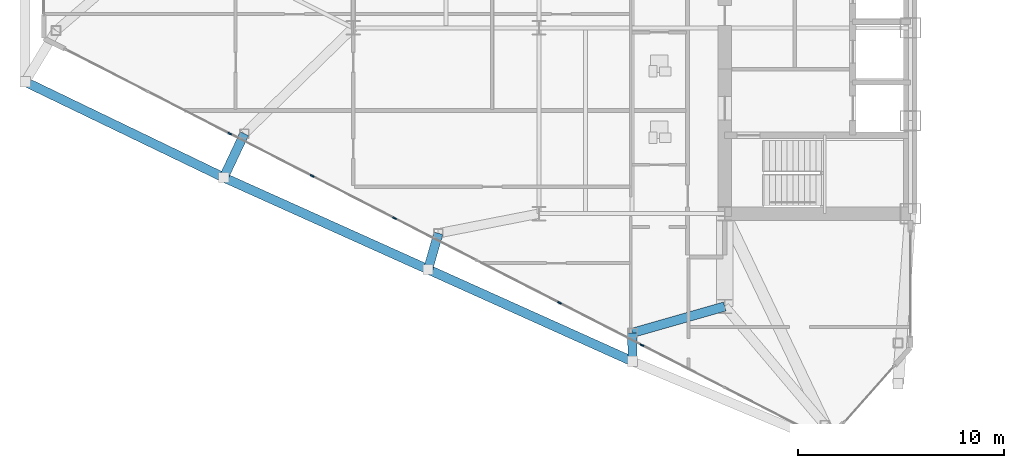
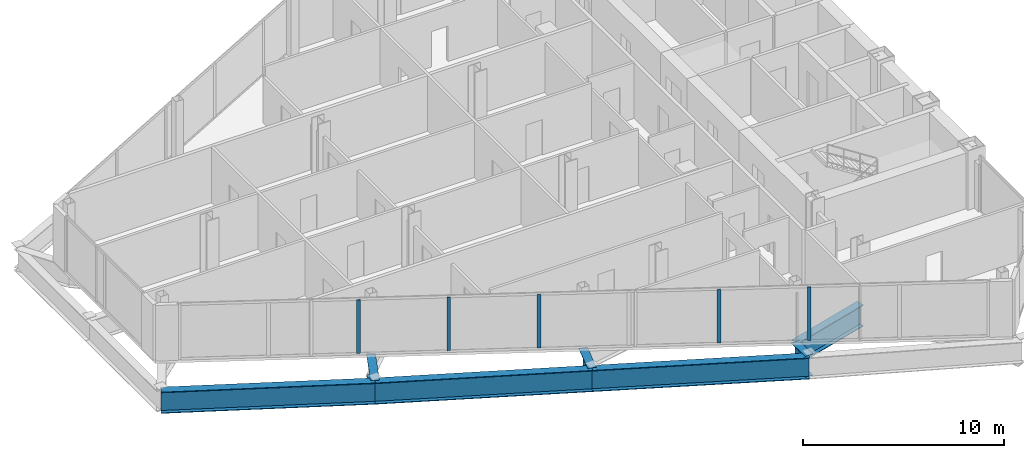
# One storey, part 3 of 28: 7 beams, 5 members, 1 element without a shape of its own.
"""IFC4 building model written with IfcOpenShell, lengths in metres."""

from ifc_helpers import new_model, si_unit, direction, frame, origin, origin_2d, place, context, subcontext, project, spatial, rectangle, i_section, extrude, source, transform, mapped, material, layer, layer_set, material_profile, profile_set, type_object, type_shapes, element, aggregate, save


model = new_model("IFC4")

# Units and contexts
model_context = context("Model", 3, precision=1e-05, world=origin(), true_north=direction((0.0, 1.0)))
body_context = subcontext(model_context, "Body", "Model", "MODEL_VIEW")
ifc_project = project(units=[si_unit("LENGTHUNIT", "METRE"), si_unit("AREAUNIT", "SQUARE_METRE"), si_unit("VOLUMEUNIT", "CUBIC_METRE"), si_unit("PLANEANGLEUNIT", "RADIAN"), si_unit("MASSUNIT", "GRAM", prefix="KILO")], contexts=[model_context])

# Site, building, storey
site_placement = place(None, origin())
site = spatial("IfcSite", under=ifc_project, at=site_placement, CompositionType="ELEMENT")
building_placement = place(site_placement, origin())
building = spatial("IfcBuilding", under=site, at=building_placement, Name="Seokmaru Belvedere", CompositionType="ELEMENT")
storey_placement = place(building_placement, frame((0.0, 0.0, 110.39990234375)))
storey = spatial("IfcBuildingStorey", under=building, at=storey_placement, Name="L29", CompositionType="ELEMENT", Elevation=110.39990234375)

# Beams
ifc_material_1 = material(Name="Steel HSA650 (650 MPa)", Category="steel")
ifc_material_profile_1 = material_profile(ifc_material_1, i_section(OverallWidth=0.449951171875, OverallDepth=1.300048828125, WebThickness=0.02197265625, FlangeThickness=0.0380859375, at=origin_2d()), Name="BH-1300x450x22x38")
ifc_profile_set_1 = profile_set([ifc_material_profile_1], Name="Steel HSA650 (650 MPa)")
beam_type = type_object("IfcBeamType", Name="Observatory Long-Span Roof Girder BH-1300", PredefinedType="BEAM", material=ifc_profile_set_1)
shared_shape_1 = source(origin(), body_context, "Body", "SweptSolid", [
    extrude(i_section(OverallWidth=0.449951171875, OverallDepth=1.300048828125, WebThickness=0.02197265625, FlangeThickness=0.0380859375, at=origin_2d()), origin(), (0.0, 0.0, 1.0), 10.85888671875),
])
for number, where, z_axis, x_axis, name in (
    (1, (-40.97265625, -20.661376953125, -0.869873046875), (-0.911921505175, 0.410364677329, 0.0), (-0.410364677329, -0.911921505175, 0.0), "L29 W Faceted Flank Spandrel S-2"),
    (2, (-50.875, -16.205322265625, -0.869873046875), (-0.911925291223, 0.410356263785, 0.0), (-0.410356263785, -0.911925291223, 0.0), "L29 W Faceted Flank Spandrel S-3"),
):
    element("IfcBeam", number, at=place(storey_placement, frame(where, z_axis=z_axis, x_axis=x_axis)), inside=storey, type_object=beam_type, Name=name, PredefinedType="BEAM", context=body_context, shape_type="MappedRepresentation", body=[
        mapped(shared_shape_1, transform((0.0, 0.0, 0.0), scale=1.0)),
    ])
shared_shape_2 = source(origin(), body_context, "Body", "SweptSolid", [
    extrude(i_section(OverallWidth=0.449951171875, OverallDepth=1.300048828125, WebThickness=0.02197265625, FlangeThickness=0.0380859375, at=origin_2d()), origin(), (0.0, 0.0, 1.0), 10.681396484375),
])
beam_1_placement = place(storey_placement, frame((-60.777587890625, -11.749267578125, -0.869873046875), z_axis=(-0.900846426616, 0.434137899352, 0.0), x_axis=(-0.434137899352, -0.900846426616, 0.0)))
element("IfcBeam", 3, at=beam_1_placement, inside=storey, type_object=beam_type, Name="L29 W Faceted Flank Spandrel S-4", PredefinedType="BEAM", context=body_context, shape_type="MappedRepresentation", body=[
    mapped(shared_shape_2, transform((0.0, 0.0, 0.0), scale=1.0)),
])
shared_shape_3 = source(origin(), body_context, "Body", "SweptSolid", [
    extrude(i_section(OverallWidth=0.449951171875, OverallDepth=1.300048828125, WebThickness=0.02197265625, FlangeThickness=0.0380859375, at=origin_2d()), origin(), (0.0, 0.0, 1.0), 1.3837890625),
])
beam_2_placement = place(storey_placement, frame((-40.97265625, -20.661376953125, -0.869873046875), z_axis=(-0.002293571949, 0.99999736976, 0.0), x_axis=(-0.99999736976, -0.002293571949, 0.0)))
element("IfcBeam", 4, at=beam_2_placement, inside=storey, type_object=beam_type, Name="L29 W Flank Setback Step Girder S-1", PredefinedType="BEAM", context=body_context, shape_type="MappedRepresentation", body=[
    mapped(shared_shape_3, transform((0.0, 0.0, 0.0), scale=1.0)),
])
shared_shape_4 = source(origin(), body_context, "Body", "SweptSolid", [
    extrude(i_section(OverallWidth=0.449951171875, OverallDepth=1.300048828125, WebThickness=0.02197265625, FlangeThickness=0.0380859375, at=origin_2d()), origin(), (0.0, 0.0, 1.0), 4.654541015625),
])
beam_3_placement = place(storey_placement, frame((-40.975830078125, -19.277587890625, -0.869873046875), z_axis=(0.961593192625, 0.274478654721, 0.0), x_axis=(-0.274478654721, 0.961593192625, 0.0)))
element("IfcBeam", 5, at=beam_3_placement, inside=storey, type_object=beam_type, Name="L29 W Flank Setback Back-Span Girder S-1", PredefinedType="BEAM", context=body_context, shape_type="MappedRepresentation", body=[
    mapped(shared_shape_4, transform((0.0, 0.0, 0.0), scale=1.0)),
])
shared_shape_5 = source(origin(), body_context, "Body", "SweptSolid", [
    extrude(i_section(OverallWidth=0.449951171875, OverallDepth=1.300048828125, WebThickness=0.02197265625, FlangeThickness=0.0380859375, at=origin_2d()), origin(), (0.0, 0.0, 1.0), 1.8212890625),
])
beam_4_placement = place(storey_placement, frame((-50.875, -16.205322265625, -0.869873046875), z_axis=(0.27332219407, 0.961922542739, 0.0), x_axis=(-0.961922542739, 0.27332219407, 0.0)))
element("IfcBeam", 6, at=beam_4_placement, inside=storey, type_object=beam_type, Name="L29 W Flank Setback Step Girder S-2", PredefinedType="BEAM", context=body_context, shape_type="MappedRepresentation", body=[
    mapped(shared_shape_5, transform((0.0, 0.0, 0.0), scale=1.0)),
])
shared_shape_6 = source(origin(), body_context, "Body", "SweptSolid", [
    extrude(i_section(OverallWidth=0.449951171875, OverallDepth=1.300048828125, WebThickness=0.02197265625, FlangeThickness=0.0380859375, at=origin_2d()), origin(), (0.0, 0.0, 1.0), 2.343994140625),
])
type_shapes(beam_type, [shared_shape_1, shared_shape_2, shared_shape_3, shared_shape_4, shared_shape_5, shared_shape_6])
beam_5_placement = place(storey_placement, frame((-60.777587890625, -11.749267578125, -0.869873046875), z_axis=(0.426218346971, 0.904620318534, 0.0), x_axis=(-0.904620318534, 0.426218346971, 0.0)))
element("IfcBeam", 7, at=beam_5_placement, inside=storey, type_object=beam_type, Name="L29 W Flank Setback Step Girder S-3", PredefinedType="BEAM", context=body_context, shape_type="MappedRepresentation", body=[
    mapped(shared_shape_6, transform((0.0, 0.0, 0.0), scale=1.0)),
])

# Curtain wall, members
ifc_material_2 = material(Name="Bronze Triple Insulating Glass", Category="glass")
ifc_layer = layer(ifc_material_2, 0.195068359375)
ifc_layer_set = layer_set([ifc_layer], Name="Bronze Triple Insulating Glass")
curtain_wall_type = type_object("IfcCurtainWallType", Name="Sky-Lobby and Mid-Rise Curtain Wall System CW-4", PredefinedType="NOTDEFINED", material=ifc_layer_set)
curtain_wall_placement = place(storey_placement, origin())
curtain_wall = element("IfcCurtainWall", 8, at=curtain_wall_placement, inside=storey, type_object=curtain_wall_type, Name="L29 Curtain Wall WF5", PredefinedType="NOTDEFINED")
ifc_material_3 = material(Name="Anodised Bronze Aluminium", Category="aluminium")
ifc_material_profile_2 = material_profile(ifc_material_3, rectangle(XDim=0.070068359375, YDim=0.195068359375, at=origin_2d()), Name="CW-M-70x195")
ifc_profile_set_2 = profile_set([ifc_material_profile_2], Name="Anodised Bronze Aluminium")
member_type = type_object("IfcMemberType", Name="Bronze Unitised Mullion 70x195", PredefinedType="MULLION", material=ifc_profile_set_2)
shared_shape_7 = source(origin(), body_context, "Body", "SweptSolid", [
    extrude(rectangle(XDim=0.070068359375, YDim=0.195068359375, at=origin_2d()), origin(), (0.0, 0.0, 1.0), 3.25),
])
type_shapes(member_type, [shared_shape_7])
member_1_placement = place(storey_placement, frame((-60.4873046875, -9.625, 0.065185546875), z_axis=(0.0, 0.0, 1.0), x_axis=(0.456554528263, 0.889695432562, 0.0)))
member_1 = element("IfcMember", 9, at=member_1_placement, type_object=member_type, Name="CW:L29:WF5 Mullion 3", PredefinedType="MULLION", context=body_context, shape_type="MappedRepresentation", body=[
    mapped(shared_shape_7, transform((0.0, 0.0, 0.0), scale=1.0)),
])
member_2_placement = place(storey_placement, frame((-56.4921875, -11.675048828125, 0.065185546875), z_axis=(0.0, 0.0, 1.0), x_axis=(0.456554528263, 0.889695432562, 0.0)))
member_2 = element("IfcMember", 10, at=member_2_placement, type_object=member_type, Name="CW:L29:WF5 Mullion 4", PredefinedType="MULLION", context=body_context, shape_type="MappedRepresentation", body=[
    mapped(shared_shape_7, transform((0.0, 0.0, 0.0), scale=1.0)),
])
member_3_placement = place(storey_placement, frame((-52.497314453125, -13.72509765625, 0.065185546875), z_axis=(0.0, 0.0, 1.0), x_axis=(0.456554528263, 0.889695432562, 0.0)))
member_3 = element("IfcMember", 11, at=member_3_placement, type_object=member_type, Name="CW:L29:WF5 Mullion 5", PredefinedType="MULLION", context=body_context, shape_type="MappedRepresentation", body=[
    mapped(shared_shape_7, transform((0.0, 0.0, 0.0), scale=1.0)),
])
member_4_placement = place(storey_placement, frame((-44.5078125, -17.824951171875, 0.065185546875), z_axis=(0.0, 0.0, 1.0), x_axis=(0.456554528263, 0.889695432562, 0.0)))
member_4 = element("IfcMember", 12, at=member_4_placement, type_object=member_type, Name="CW:L29:WF5 Mullion 7", PredefinedType="MULLION", context=body_context, shape_type="MappedRepresentation", body=[
    mapped(shared_shape_7, transform((0.0, 0.0, 0.0), scale=1.0)),
])
member_5_placement = place(storey_placement, frame((-40.5126953125, -19.875, 0.065185546875), z_axis=(0.0, 0.0, 1.0), x_axis=(0.456554528263, 0.889695432562, 0.0)))
member_5 = element("IfcMember", 13, at=member_5_placement, type_object=member_type, Name="CW:L29:WF5 Mullion 8", PredefinedType="MULLION", context=body_context, shape_type="MappedRepresentation", body=[
    mapped(shared_shape_7, transform((0.0, 0.0, 0.0), scale=1.0)),
])
aggregate(curtain_wall, [member_1, member_2, member_3, member_4, member_5])

save(model, "model.ifc")
